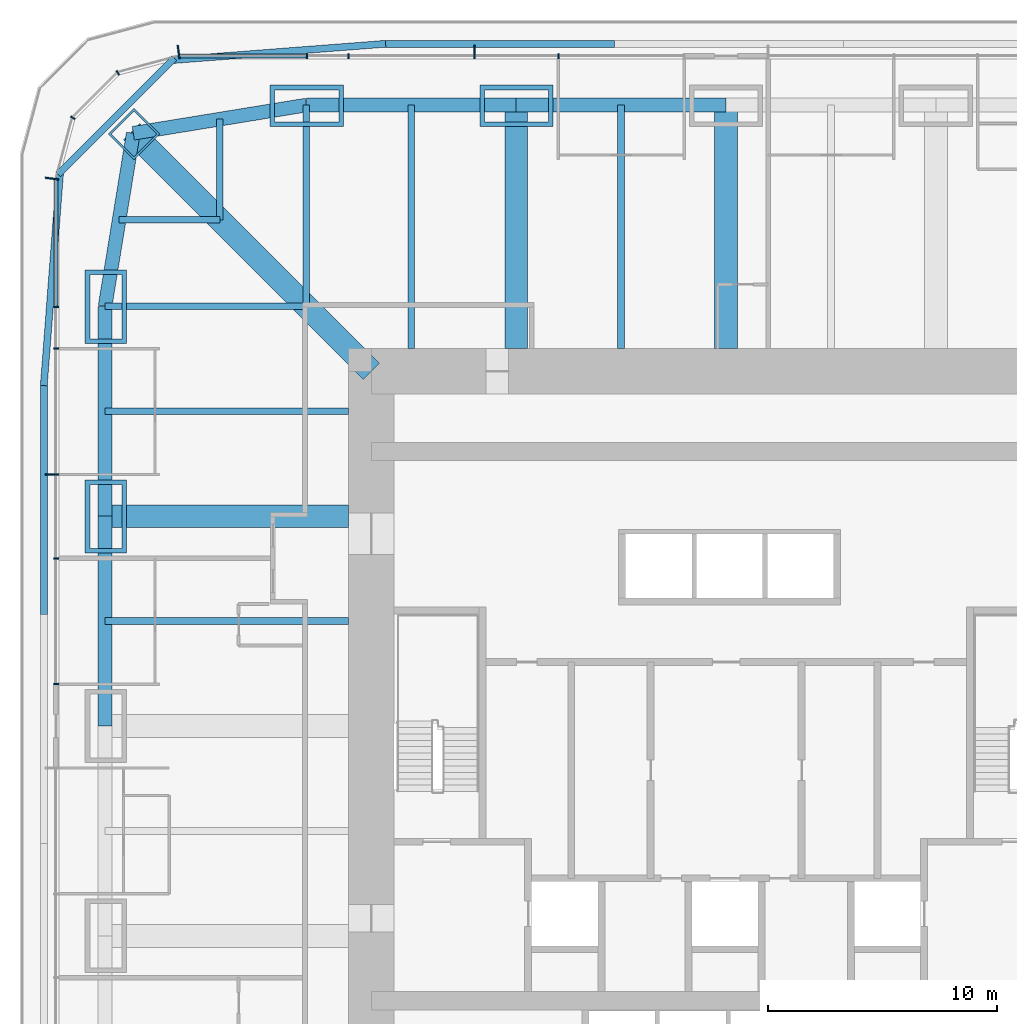
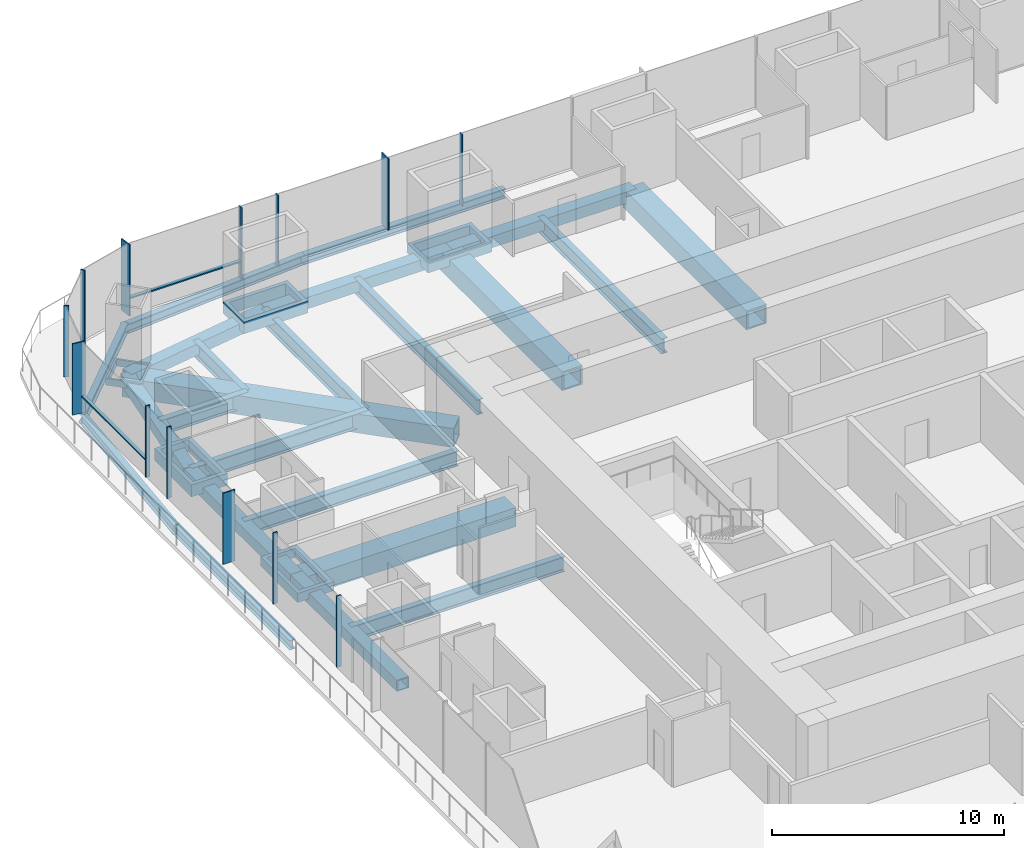
# One storey, part 6 of 16: 30 members, 13 beams, 3 elements without a shape of their own.
"""IFC4 building model written with IfcOpenShell, lengths in metres."""

from ifc_helpers import new_model, si_unit, direction, frame, origin, origin_2d, place, context, subcontext, project, spatial, rectangle, hollow_rectangle, i_section, extrude, material, material_profile, profile_set, type_object, element, aggregate, save


model = new_model("IFC4")

# Units and contexts
model_context = context("Model", 3, precision=1e-05, world=origin(), true_north=direction((0.0, 1.0)))
body_context = subcontext(model_context, "Body", "Model", "MODEL_VIEW")
ifc_project = project(units=[si_unit("LENGTHUNIT", "METRE"), si_unit("AREAUNIT", "SQUARE_METRE"), si_unit("VOLUMEUNIT", "CUBIC_METRE"), si_unit("PLANEANGLEUNIT", "RADIAN"), si_unit("MASSUNIT", "GRAM", prefix="KILO")], contexts=[model_context])

# Site, building, storey
site_placement = place(None, origin())
site = spatial("IfcSite", under=ifc_project, at=site_placement, CompositionType="ELEMENT")
building_placement = place(site_placement, origin())
building = spatial("IfcBuilding", under=site, at=building_placement, Name="Khuree Lantern Residences", CompositionType="ELEMENT")
storey_placement = place(building_placement, frame((0.0, 0.0, 107.25)))
storey = spatial("IfcBuildingStorey", under=building, at=storey_placement, Name="L26", CompositionType="ELEMENT", Elevation=107.25)

# Beams
ifc_material_1 = material(Name="Steel S355", Category="steel")
ifc_material_profile_1 = material_profile(ifc_material_1, i_section(OverallWidth=0.300048828125, OverallDepth=0.7900390625, WebThickness=0.014892578125, FlangeThickness=0.028076171875, FilletRadius=0.030029296875, at=origin_2d()), Name="HE 800 A")
ifc_profile_set_1 = profile_set([ifc_material_profile_1], Name="Steel S355")
beam_type_1 = type_object("IfcBeamType", Name="B-21 SECONDARY BEAM HE 800 A", PredefinedType="BEAM", material=ifc_profile_set_1)
for number, where, z_axis, x_axis, name in (
    (1, (-13.755859375, 27.1337890625, -0.64501953125), (0.0, -1.0, 0.0), (1.0, 0.0, 0.0), "Secondary beam N1"),
    (2, (-4.585205078125, 27.1337890625, -0.64501953125), (0.0, -1.0, 0.0), (1.0, 0.0, 0.0), "Secondary beam N2"),
    (3, (-27.1337890625, 4.585205078125, -0.64501953125), (1.0, 0.0, 0.0), (0.0, 1.0, 0.0), "Secondary beam W4"),
    (4, (-27.1337890625, 13.755859375, -0.64501953125), (1.0, 0.0, 0.0), (0.0, 1.0, 0.0), "Secondary beam W5"),
):
    element("IfcBeam", number, at=place(storey_placement, frame(where, z_axis=z_axis, x_axis=x_axis)), inside=storey, type_object=beam_type_1, Name=name, PredefinedType="BEAM", context=body_context, shape_type="SweptSolid", body=[
        extrude(i_section(OverallWidth=0.300048828125, OverallDepth=0.7900390625, WebThickness=0.014892578125, FlangeThickness=0.028076171875, FilletRadius=0.030029296875, at=origin_2d()), origin(), (0.0, 0.0, 1.0), 10.6337890625),
    ])
for number, where, z_axis, x_axis, name in (
    (5, (-26.517578125, 22.12109375, -0.64501953125), (1.0, 0.0, 0.0), (0.0, 1.0, 0.0), "Secondary beam W6"),
    (6, (-22.12109375, 26.517578125, -0.64501953125), (0.0, -1.0, 0.0), (1.0, 0.0, 0.0), "Secondary beam N6"),
):
    element("IfcBeam", number, at=place(storey_placement, frame(where, z_axis=z_axis, x_axis=x_axis)), inside=storey, type_object=beam_type_1, Name=name, PredefinedType="BEAM", context=body_context, shape_type="SweptSolid", body=[
        extrude(i_section(OverallWidth=0.300048828125, OverallDepth=0.7900390625, WebThickness=0.014892578125, FlangeThickness=0.028076171875, FilletRadius=0.030029296875, at=origin_2d()), origin(), (0.0, 0.0, 1.0), 4.396484375),
    ])

# Members
ifc_material_profile_2 = material_profile(ifc_material_1, hollow_rectangle(XDim=0.60009765625, YDim=0.60009765625, WallThickness=0.050048828125, at=origin_2d()), Name="WELDED BOX 600X600X50")
ifc_profile_set_2 = profile_set([ifc_material_profile_2], Name="Steel S355")
member_type_1 = type_object("IfcMemberType", Name="BT-26 BELT TRUSS CHORD WELDED BOX 600X600X50", PredefinedType="CHORD", material=ifc_profile_set_2)
member_1_placement = place(storey_placement, frame((-18.341064453125, 27.1337890625, -0.550048828125), z_axis=(1.0, 0.0, 0.0), x_axis=(0.0, 1.0, 0.0)))
element("IfcMember", 7, at=member_1_placement, inside=storey, type_object=member_type_1, Name="Belt truss chord N1", PredefinedType="CHORD", context=body_context, shape_type="SweptSolid", body=[
    extrude(hollow_rectangle(XDim=0.60009765625, YDim=0.60009765625, WallThickness=0.050048828125, at=origin_2d()), origin(), (0.0, 0.0, 1.0), 9.170654296875),
])
for number, where, z_axis, x_axis, name in (
    (8, (-9.17041015625, 27.1337890625, -0.550048828125), (1.0, 0.0, 0.0), (0.0, 1.0, 0.0), "Belt truss chord N2"),
    (9, (-27.1337890625, 0.0, -0.550048828125), (0.0, 1.0, 0.0), (-1.0, 0.0, 0.0), "Belt truss chord W4"),
):
    element("IfcMember", number, at=place(storey_placement, frame(where, z_axis=z_axis, x_axis=x_axis)), inside=storey, type_object=member_type_1, Name=name, PredefinedType="CHORD", context=body_context, shape_type="SweptSolid", body=[
        extrude(hollow_rectangle(XDim=0.60009765625, YDim=0.60009765625, WallThickness=0.050048828125, at=origin_2d()), origin(), (0.0, 0.0, 1.0), 9.17041015625),
    ])
member_2_placement = place(storey_placement, frame((-27.1337890625, 9.17041015625, -0.550048828125), z_axis=(0.0, 1.0, 0.0), x_axis=(-1.0, 0.0, 0.0)))
element("IfcMember", 10, at=member_2_placement, inside=storey, type_object=member_type_1, Name="Belt truss chord W5", PredefinedType="CHORD", context=body_context, shape_type="SweptSolid", body=[
    extrude(hollow_rectangle(XDim=0.60009765625, YDim=0.60009765625, WallThickness=0.050048828125, at=origin_2d()), origin(), (0.0, 0.0, 1.0), 9.170654296875),
])
for number, where, z_axis, x_axis, name in (
    (11, (-27.1337890625, 18.341064453125, -0.550048828125), (0.160888608448, 0.986972570881, 0.0), (-0.986972570881, 0.160888608448, 0.0), "Belt truss chord W6"),
    (12, (-25.9013671875, 25.9013671875, -0.550048828125), (0.986972570881, 0.160888608448, 0.0), (-0.160888608448, 0.986972570881, 0.0), "Belt truss chord N6"),
):
    element("IfcMember", number, at=place(storey_placement, frame(where, z_axis=z_axis, x_axis=x_axis)), inside=storey, type_object=member_type_1, Name=name, PredefinedType="CHORD", context=body_context, shape_type="SweptSolid", body=[
        extrude(hollow_rectangle(XDim=0.60009765625, YDim=0.60009765625, WallThickness=0.050048828125, at=origin_2d()), origin(), (0.0, 0.0, 1.0), 7.66015625),
    ])

# Curtain wall, member
ifc_material_2 = material(Name="Bronze anodised aluminium", Category="aluminium")
curtain_wall_type_1 = type_object("IfcCurtainWallType", Name="CW-T1 TOWER FACE CURTAIN WALL", PredefinedType="USERDEFINED", material=ifc_material_2)
curtain_wall_1_placement = place(storey_placement, origin())
curtain_wall_1 = element("IfcCurtainWall", 13, at=curtain_wall_1_placement, inside=storey, type_object=curtain_wall_type_1, Name="L26 NORTH FACE CURTAIN WALL", ObjectType="Stick-built curtain wall", PredefinedType="USERDEFINED")
ifc_material_profile_3 = material_profile(ifc_material_2, rectangle(XDim=0.06494140625, YDim=0.60009765625, at=origin_2d()), Name="F1 65X600")
ifc_profile_set_3 = profile_set([ifc_material_profile_3], Name="Bronze anodised aluminium")
member_type_2 = type_object("IfcMemberType", Name="F1 BRONZE FIN MULLION TOWER 65X600", PredefinedType="MULLION", material=ifc_profile_set_3)
member_3_placement = place(storey_placement, frame((-10.991943359375, 29.449951171875, 0.0), z_axis=(0.0, 0.0, 1.0), x_axis=(-1.0, 0.0, 0.0)))
member_3 = element("IfcMember", 14, at=member_3_placement, type_object=member_type_2, Name="L26 NORTH FACE FIN MULLION 26", PredefinedType="MULLION", context=body_context, shape_type="SweptSolid", body=[
    extrude(rectangle(XDim=0.06494140625, YDim=0.60009765625, at=origin_2d()), origin(), (0.0, 0.0, 1.0), 3.75),
])

curtain_wall_type_2 = type_object("IfcCurtainWallType", Name="CW-T2 TOWER CORNER CURTAIN WALL", PredefinedType="USERDEFINED", material=ifc_material_2)
curtain_wall_2_placement = place(storey_placement, origin())
curtain_wall_2 = element("IfcCurtainWall", 15, at=curtain_wall_2_placement, inside=storey, type_object=curtain_wall_type_2, Name="L26 NORTH-WEST CORNER CURTAIN WALL", ObjectType="Faceted corner curtain wall", PredefinedType="USERDEFINED")
member_4_placement = place(storey_placement, frame((-23.919677734375, 29.4501953125, 0.0), z_axis=(0.0, 0.0, 1.0), x_axis=(-0.991444857305, -0.130526223125, 0.0)))
member_4 = element("IfcMember", 16, at=member_4_placement, type_object=member_type_2, Name="L26 NORTH-WEST CORNER FIN MULLION 29", PredefinedType="MULLION", context=body_context, shape_type="SweptSolid", body=[
    extrude(rectangle(XDim=0.06494140625, YDim=0.60009765625, at=origin_2d()), origin(), (0.0, 0.0, 1.0), 3.75),
])

# Curtain wall, members
curtain_wall_3_placement = place(storey_placement, origin())
curtain_wall_3 = element("IfcCurtainWall", 17, at=curtain_wall_3_placement, inside=storey, type_object=curtain_wall_type_1, Name="L26 WEST FACE CURTAIN WALL", ObjectType="Stick-built curtain wall", PredefinedType="USERDEFINED")
member_5_placement = place(storey_placement, frame((-29.4501953125, 23.919677734375, 0.0), z_axis=(0.0, 0.0, 1.0), x_axis=(-0.130526223125, -0.991444857305, 0.0)))
member_5 = element("IfcMember", 18, at=member_5_placement, type_object=member_type_2, Name="L26 WEST FACE FIN MULLION 32", PredefinedType="MULLION", context=body_context, shape_type="SweptSolid", body=[
    extrude(rectangle(XDim=0.06494140625, YDim=0.60009765625, at=origin_2d()), origin(), (0.0, 0.0, 1.0), 3.75),
])
member_6_placement = place(storey_placement, frame((-29.449951171875, 10.991943359375, 0.0), z_axis=(0.0, 0.0, 1.0), x_axis=(0.0, -1.0, 0.0)))
member_6 = element("IfcMember", 19, at=member_6_placement, type_object=member_type_2, Name="L26 WEST FACE FIN MULLION 35", PredefinedType="MULLION", context=body_context, shape_type="SweptSolid", body=[
    extrude(rectangle(XDim=0.06494140625, YDim=0.60009765625, at=origin_2d()), origin(), (0.0, 0.0, 1.0), 3.75),
])

# Beams
ifc_material_profile_4 = material_profile(ifc_material_1, i_section(OverallWidth=0.300048828125, OverallDepth=0.800048828125, WebThickness=0.017578125, FlangeThickness=0.032958984375, FilletRadius=0.030029296875, at=origin_2d()), Name="HE 800 B")
ifc_profile_set_4 = profile_set([ifc_material_profile_4], Name="Steel S355")
beam_type_2 = type_object("IfcBeamType", Name="G-21 GIRDER HE 800 B", PredefinedType="BEAM", material=ifc_profile_set_4)
for number, where, z_axis, x_axis, name in (
    (20, (-18.342041015625, 27.135498046875, -0.64990234375), (0.0, -1.0, 0.0), (1.0, 0.0, 0.0), "Girder N1"),
    (21, (-27.135498046875, 18.342041015625, -0.64990234375), (1.0, 0.0, 0.0), (0.0, 1.0, 0.0), "Girder W5"),
):
    element("IfcBeam", number, at=place(storey_placement, frame(where, z_axis=z_axis, x_axis=x_axis)), inside=storey, type_object=beam_type_2, Name=name, PredefinedType="BEAM", context=body_context, shape_type="SweptSolid", body=[
        extrude(i_section(OverallWidth=0.300048828125, OverallDepth=0.800048828125, WebThickness=0.017578125, FlangeThickness=0.032958984375, FilletRadius=0.030029296875, at=origin_2d()), origin(), (0.0, 0.0, 1.0), 8.79345703125),
    ])

# Member
ifc_material_profile_5 = material_profile(ifc_material_2, rectangle(XDim=0.06494140625, YDim=0.219970703125, at=origin_2d()), Name="M1 65X220")
ifc_profile_set_5 = profile_set([ifc_material_profile_5], Name="Bronze anodised aluminium")
member_type_3 = type_object("IfcMemberType", Name="M1 BRONZE MULLION TOWER 65X220", PredefinedType="MULLION", material=ifc_profile_set_5)
member_7_placement = place(storey_placement, frame((-7.327880859375, 29.260009765625, 0.0), z_axis=(0.0, 0.0, 1.0), x_axis=(-1.0, 0.0, 0.0)))
member_7 = element("IfcMember", 22, at=member_7_placement, type_object=member_type_3, Name="L26 NORTH FACE MULLION 25", PredefinedType="MULLION", context=body_context, shape_type="SweptSolid", body=[
    extrude(rectangle(XDim=0.06494140625, YDim=0.219970703125, at=origin_2d()), origin(), (0.0, 0.0, 1.0), 3.75),
])

member_8_placement = place(storey_placement, frame((-16.488037109375, 29.260009765625, 0.0), z_axis=(0.0, 0.0, 1.0), x_axis=(-1.0, 0.0, 0.0)))
member_8 = element("IfcMember", 23, at=member_8_placement, type_object=member_type_3, Name="L26 NORTH FACE MULLION 27", PredefinedType="MULLION", context=body_context, shape_type="SweptSolid", body=[
    extrude(rectangle(XDim=0.06494140625, YDim=0.219970703125, at=origin_2d()), origin(), (0.0, 0.0, 1.0), 3.75),
])

member_9_placement = place(storey_placement, frame((-18.320068359375, 29.260009765625, 0.0), z_axis=(0.0, 0.0, 1.0), x_axis=(-1.0, 0.0, 0.0)))
member_9 = element("IfcMember", 24, at=member_9_placement, type_object=member_type_3, Name="L26 NORTH FACE MULLION 28", PredefinedType="MULLION", context=body_context, shape_type="SweptSolid", body=[
    extrude(rectangle(XDim=0.06494140625, YDim=0.219970703125, at=origin_2d()), origin(), (0.0, 0.0, 1.0), 3.75),
])

member_10_placement = place(storey_placement, frame((-26.580078125, 28.5419921875, 0.0), z_axis=(0.0, 0.0, 1.0), x_axis=(-0.866025388199, -0.500000026995, 0.0)))
member_10 = element("IfcMember", 25, at=member_10_placement, type_object=member_type_3, Name="L26 NORTH-WEST CORNER MULLION 30", PredefinedType="MULLION", context=body_context, shape_type="SweptSolid", body=[
    extrude(rectangle(XDim=0.06494140625, YDim=0.219970703125, at=origin_2d()), origin(), (0.0, 0.0, 1.0), 3.75),
])

member_11_placement = place(storey_placement, frame((-28.5419921875, 26.580078125, 0.0), z_axis=(0.0, 0.0, 1.0), x_axis=(-0.500000026995, -0.866025388199, 0.0)))
member_11 = element("IfcMember", 26, at=member_11_placement, type_object=member_type_3, Name="L26 NORTH-WEST CORNER MULLION 31", PredefinedType="MULLION", context=body_context, shape_type="SweptSolid", body=[
    extrude(rectangle(XDim=0.06494140625, YDim=0.219970703125, at=origin_2d()), origin(), (0.0, 0.0, 1.0), 3.75),
])

aggregate(curtain_wall_2, [member_4, member_10, member_11])

member_12_placement = place(storey_placement, frame((-29.260009765625, 18.320068359375, 0.0), z_axis=(0.0, 0.0, 1.0), x_axis=(0.0, -1.0, 0.0)))
member_12 = element("IfcMember", 27, at=member_12_placement, type_object=member_type_3, Name="L26 WEST FACE MULLION 33", PredefinedType="MULLION", context=body_context, shape_type="SweptSolid", body=[
    extrude(rectangle(XDim=0.06494140625, YDim=0.219970703125, at=origin_2d()), origin(), (0.0, 0.0, 1.0), 3.75),
])

member_13_placement = place(storey_placement, frame((-29.260009765625, 16.488037109375, 0.0), z_axis=(0.0, 0.0, 1.0), x_axis=(0.0, -1.0, 0.0)))
member_13 = element("IfcMember", 28, at=member_13_placement, type_object=member_type_3, Name="L26 WEST FACE MULLION 34", PredefinedType="MULLION", context=body_context, shape_type="SweptSolid", body=[
    extrude(rectangle(XDim=0.06494140625, YDim=0.219970703125, at=origin_2d()), origin(), (0.0, 0.0, 1.0), 3.75),
])

member_14_placement = place(storey_placement, frame((-29.260009765625, 7.327880859375, 0.0), z_axis=(0.0, 0.0, 1.0), x_axis=(0.0, -1.0, 0.0)))
member_14 = element("IfcMember", 29, at=member_14_placement, type_object=member_type_3, Name="L26 WEST FACE MULLION 36", PredefinedType="MULLION", context=body_context, shape_type="SweptSolid", body=[
    extrude(rectangle(XDim=0.06494140625, YDim=0.219970703125, at=origin_2d()), origin(), (0.0, 0.0, 1.0), 3.75),
])

member_15_placement = place(storey_placement, frame((-29.260009765625, 1.83203125, 0.0), z_axis=(0.0, 0.0, 1.0), x_axis=(0.0, -1.0, 0.0)))
member_15 = element("IfcMember", 30, at=member_15_placement, type_object=member_type_3, Name="L26 WEST FACE MULLION 37", PredefinedType="MULLION", context=body_context, shape_type="SweptSolid", body=[
    extrude(rectangle(XDim=0.06494140625, YDim=0.219970703125, at=origin_2d()), origin(), (0.0, 0.0, 1.0), 3.75),
])

# Members
ifc_material_3 = material(Name="Steel S355 CFT welded box", Category="steel")
ifc_material_profile_6 = material_profile(ifc_material_3, hollow_rectangle(XDim=3.199951171875, YDim=1.800048828125, WallThickness=0.199951171875, at=origin_2d()), Name="WELDED BOX 3200X1800X200")
ifc_profile_set_6 = profile_set([ifc_material_profile_6], Name="Steel S355 CFT welded box")
member_type_4 = type_object("IfcMemberType", Name="MN MEGA COLUMN NODE WELDED BOX 3200X1800X200", PredefinedType="MEMBER", material=ifc_profile_set_6)
member_16_placement = place(storey_placement, frame((-18.320068359375, 27.10009765625, -0.550048828125), z_axis=(0.0, 0.0, 1.0), x_axis=(1.0, 0.0, 0.0)))
element("IfcMember", 31, at=member_16_placement, inside=storey, type_object=member_type_4, Name="Mega column node N1", PredefinedType="MEMBER", context=body_context, shape_type="SweptSolid", body=[
    extrude(hollow_rectangle(XDim=3.199951171875, YDim=1.800048828125, WallThickness=0.199951171875, at=origin_2d()), origin(), (0.0, 0.0, 1.0), 0.630126953125),
])
for number, where, z_axis, x_axis, name in (
    (32, (-9.159912109375, 27.10009765625, -0.550048828125), (0.0, 0.0, 1.0), (1.0, 0.0, 0.0), "Mega column node N2"),
    (33, (-27.10009765625, 9.159912109375, -0.550048828125), (0.0, 0.0, 1.0), (0.0, 1.0, 0.0), "Mega column node W4"),
):
    element("IfcMember", number, at=place(storey_placement, frame(where, z_axis=z_axis, x_axis=x_axis)), inside=storey, type_object=member_type_4, Name=name, PredefinedType="MEMBER", context=body_context, shape_type="SweptSolid", body=[
        extrude(hollow_rectangle(XDim=3.199951171875, YDim=1.800048828125, WallThickness=0.199951171875, at=origin_2d()), origin(), (0.0, 0.0, 1.0), 0.47998046875),
    ])
member_17_placement = place(storey_placement, frame((-27.10009765625, 18.320068359375, -0.550048828125), z_axis=(0.0, 0.0, 1.0), x_axis=(0.0, 1.0, 0.0)))
element("IfcMember", 34, at=member_17_placement, inside=storey, type_object=member_type_4, Name="Mega column node W5", PredefinedType="MEMBER", context=body_context, shape_type="SweptSolid", body=[
    extrude(hollow_rectangle(XDim=3.199951171875, YDim=1.800048828125, WallThickness=0.199951171875, at=origin_2d()), origin(), (0.0, 0.0, 1.0), 0.630126953125),
])
ifc_material_profile_7 = material_profile(ifc_material_3, hollow_rectangle(XDim=1.60009765625, YDim=1.60009765625, WallThickness=0.10009765625, at=origin_2d()), Name="WELDED BOX 1600X1600X100")
ifc_profile_set_7 = profile_set([ifc_material_profile_7], Name="Steel S355 CFT welded box")
member_type_5 = type_object("IfcMemberType", Name="MNA MEGA COLUMN NODE WELDED BOX 1600X1600X100", PredefinedType="MEMBER", material=ifc_profile_set_7)
member_18_placement = place(storey_placement, frame((-25.869873046875, 25.869873046875, -0.550048828125), z_axis=(0.0, 0.0, 1.0), x_axis=(0.707106781187, 0.707106781187, 0.0)))
element("IfcMember", 35, at=member_18_placement, inside=storey, type_object=member_type_5, Name="Mega column node NW", PredefinedType="MEMBER", context=body_context, shape_type="SweptSolid", body=[
    extrude(hollow_rectangle(XDim=1.60009765625, YDim=1.60009765625, WallThickness=0.10009765625, at=origin_2d()), origin(), (0.0, 0.0, 1.0), 0.360107421875),
])
ifc_material_profile_8 = material_profile(ifc_material_1, hollow_rectangle(XDim=1.0, YDim=1.0, WallThickness=0.080078125, at=origin_2d()), Name="WELDED BOX 1000X1000X80")
ifc_profile_set_8 = profile_set([ifc_material_profile_8], Name="Steel S355")
member_type_6 = type_object("IfcMemberType", Name="OT-26 OUTRIGGER TRUSS CHORD WELDED BOX 1000X1000X80", PredefinedType="CHORD", material=ifc_profile_set_8)
for number, where, z_axis, x_axis, name in (
    (36, (-9.171142578125, 27.135498046875, -0.75), (0.0, -1.0, 0.0), (1.0, 0.0, 0.0), "Outrigger chord N2"),
    (37, (0.0, 27.135498046875, -0.75), (0.0, -1.0, 0.0), (1.0, 0.0, 0.0), "Outrigger chord N3"),
    (38, (-27.135498046875, 9.171142578125, -0.75), (1.0, 0.0, 0.0), (0.0, 1.0, 0.0), "Outrigger chord W4"),
):
    element("IfcMember", number, at=place(storey_placement, frame(where, z_axis=z_axis, x_axis=x_axis)), inside=storey, type_object=member_type_6, Name=name, PredefinedType="CHORD", context=body_context, shape_type="SweptSolid", body=[
        extrude(hollow_rectangle(XDim=1.0, YDim=1.0, WallThickness=0.080078125, at=origin_2d()), origin(), (0.0, 0.0, 1.0), 10.635498046875),
    ])
member_19_placement = place(storey_placement, frame((-25.969482421875, 25.969482421875, -0.75), z_axis=(0.707106781187, -0.707106781187, 0.0), x_axis=(0.707106781187, 0.707106781187, 0.0)))
element("IfcMember", 39, at=member_19_placement, inside=storey, type_object=member_type_6, Name="Outrigger chord NW", PredefinedType="CHORD", context=body_context, shape_type="SweptSolid", body=[
    extrude(hollow_rectangle(XDim=1.0, YDim=1.0, WallThickness=0.080078125, at=origin_2d()), origin(), (0.0, 0.0, 1.0), 14.80615234375),
])

# Beams
ifc_material_profile_9 = material_profile(ifc_material_1, i_section(OverallWidth=0.300048828125, OverallDepth=0.5, WebThickness=0.014404296875, FlangeThickness=0.028076171875, FilletRadius=0.027099609375, at=origin_2d()), Name="HE 500 B")
ifc_profile_set_9 = profile_set([ifc_material_profile_9], Name="Steel S355")
beam_type_3 = type_object("IfcBeamType", Name="TB1 TERRACE EDGE BEAM HE 500 B", PredefinedType="BEAM", material=ifc_profile_set_9)
for number, where, z_axis, x_axis, name in (
    (40, (-15.125, 29.800048828125, -0.5), (1.0, 0.0, 0.0), (0.0, 1.0, 0.0), "Terrace edge beam N1"),
    (41, (-29.800048828125, 4.875, -0.5), (0.0, 1.0, 0.0), (-1.0, 0.0, 0.0), "Terrace edge beam W4"),
):
    element("IfcBeam", number, at=place(storey_placement, frame(where, z_axis=z_axis, x_axis=x_axis)), inside=storey, type_object=beam_type_3, Name=name, PredefinedType="BEAM", context=body_context, shape_type="SweptSolid", body=[
        extrude(i_section(OverallWidth=0.300048828125, OverallDepth=0.5, WebThickness=0.014404296875, FlangeThickness=0.028076171875, FilletRadius=0.027099609375, at=origin_2d()), origin(), (0.0, 0.0, 1.0), 10.25),
    ])
beam_1_placement = place(storey_placement, frame((-29.8095703125, 14.875244140625, -0.5), z_axis=(0.07622551891, 0.997090602838, 0.0), x_axis=(-0.997090602838, 0.07622551891, 0.0)))
element("IfcBeam", 42, at=beam_1_placement, inside=storey, type_object=beam_type_3, Name="Terrace edge beam W5", PredefinedType="BEAM", context=body_context, shape_type="SweptSolid", body=[
    extrude(i_section(OverallWidth=0.300048828125, OverallDepth=0.5, WebThickness=0.014404296875, FlangeThickness=0.028076171875, FilletRadius=0.027099609375, at=origin_2d()), origin(), (0.0, 0.0, 1.0), 9.47412109375),
])
beam_2_placement = place(storey_placement, frame((-29.185546875, 24.108642578125, -0.5), z_axis=(0.707106781187, 0.707106781187, 0.0), x_axis=(-0.707106781187, 0.707106781187, 0.0)))
element("IfcBeam", 43, at=beam_2_placement, inside=storey, type_object=beam_type_3, Name="Terrace edge beam W6", PredefinedType="BEAM", context=body_context, shape_type="SweptSolid", body=[
    extrude(i_section(OverallWidth=0.300048828125, OverallDepth=0.5, WebThickness=0.014404296875, FlangeThickness=0.028076171875, FilletRadius=0.027099609375, at=origin_2d()), origin(), (0.0, 0.0, 1.0), 7.179931640625),
])
beam_3_placement = place(storey_placement, frame((-24.32177734375, 29.08740234375, -0.5), z_axis=(0.997090602838, 0.07622551891, 0.0), x_axis=(-0.07622551891, 0.997090602838, 0.0)))
element("IfcBeam", 44, at=beam_3_placement, inside=storey, type_object=beam_type_3, Name="Terrace edge beam N6", PredefinedType="BEAM", context=body_context, shape_type="SweptSolid", body=[
    extrude(i_section(OverallWidth=0.300048828125, OverallDepth=0.5, WebThickness=0.014404296875, FlangeThickness=0.028076171875, FilletRadius=0.027099609375, at=origin_2d()), origin(), (0.0, 0.0, 1.0), 9.47412109375),
])

# Member
ifc_material_profile_10 = material_profile(ifc_material_2, rectangle(XDim=0.179931640625, YDim=0.06494140625, at=origin_2d()), Name="T1 180X65")
ifc_profile_set_10 = profile_set([ifc_material_profile_10], Name="Bronze anodised aluminium")
member_type_7 = type_object("IfcMemberType", Name="TRANSOM T1 TOWER 180X65", PredefinedType="USERDEFINED", material=ifc_profile_set_10)
member_20_placement = place(storey_placement, frame((-18.3525390625, 29.27001953125, 0.89990234375), z_axis=(-1.0, 0.0, 0.0), x_axis=(0.0, -1.0, 0.0)))
member_20 = element("IfcMember", 45, at=member_20_placement, type_object=member_type_7, Name="L26 NORTH FACE TRANSOM 28.1", ObjectType="Transom", PredefinedType="USERDEFINED", context=body_context, shape_type="SweptSolid", body=[
    extrude(rectangle(XDim=0.179931640625, YDim=0.06494140625, at=origin_2d()), origin(), (0.0, 0.0, 1.0), 5.498779296875),
])

aggregate(curtain_wall_1, [member_7, member_3, member_8, member_9, member_20])

member_21_placement = place(storey_placement, frame((-29.27001953125, 23.851318359375, 0.89990234375), z_axis=(0.0, -1.0, 0.0), x_axis=(1.0, 0.0, 0.0)))
member_21 = element("IfcMember", 46, at=member_21_placement, type_object=member_type_7, Name="L26 WEST FACE TRANSOM 32.1", ObjectType="Transom", PredefinedType="USERDEFINED", context=body_context, shape_type="SweptSolid", body=[
    extrude(rectangle(XDim=0.179931640625, YDim=0.06494140625, at=origin_2d()), origin(), (0.0, 0.0, 1.0), 5.498779296875),
])

aggregate(curtain_wall_3, [member_5, member_12, member_13, member_6, member_14, member_15, member_21])

save(model, "model.ifc")
